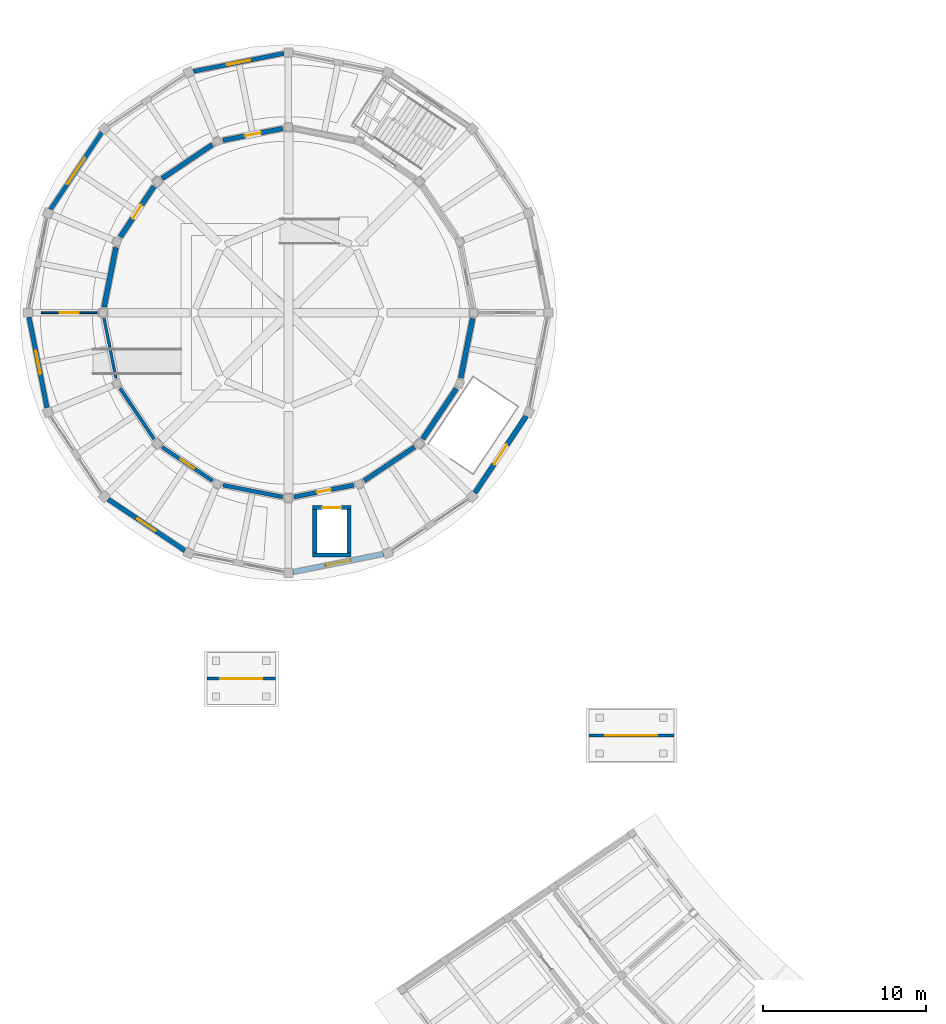
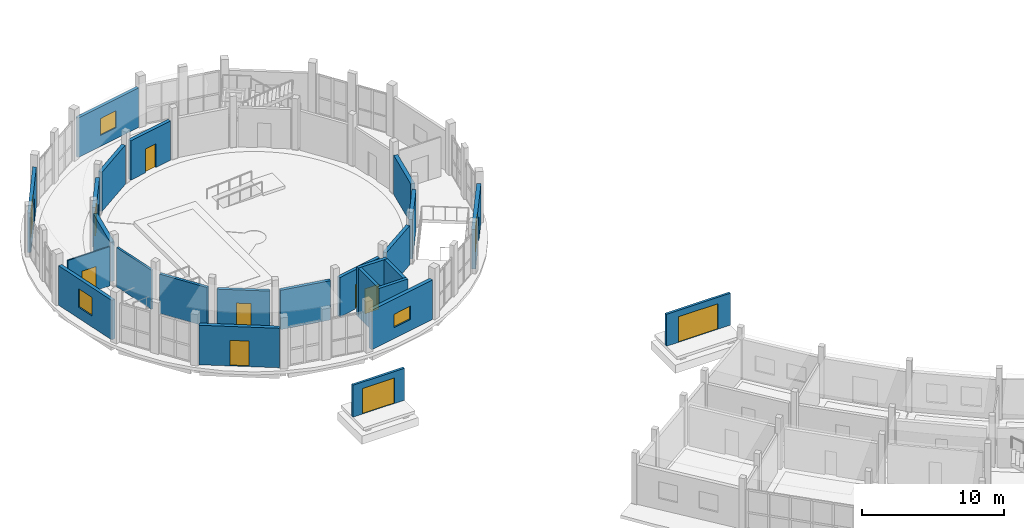
# One storey, part 71 of 92: 25 walls, 11 doors, 3 windows, 14 openings.
"""IFC4 building model written with IfcOpenShell, lengths in metres."""

from ifc_helpers import new_model, si_unit, direction, frame, frame_2d, origin, place, context, subcontext, project, spatial, rectangle, extrude, material, layer, layer_set, type_object, element, fill, save


model = new_model("IFC4")

# Units and contexts
model_context = context("Model", 3, precision=1e-05, world=origin(), true_north=direction((0.0, 1.0)))
body_context = subcontext(model_context, "Body", "Model", "MODEL_VIEW")
ifc_project = project(units=[si_unit("LENGTHUNIT", "METRE"), si_unit("AREAUNIT", "SQUARE_METRE"), si_unit("VOLUMEUNIT", "CUBIC_METRE"), si_unit("PLANEANGLEUNIT", "RADIAN"), si_unit("MASSUNIT", "GRAM", prefix="KILO")], contexts=[model_context])

# Site, building, storey
site_placement = place(None, origin())
site = spatial("IfcSite", under=ifc_project, at=site_placement, CompositionType="ELEMENT")
building_placement = place(site_placement, origin())
building = spatial("IfcBuilding", under=site, at=building_placement, Name="Caldaven Crescent School", CompositionType="ELEMENT")
storey_placement = place(building_placement, origin())
storey = spatial("IfcBuildingStorey", under=building, at=storey_placement, Name="L00", CompositionType="ELEMENT", Elevation=0.0)

# Wall, opening, door
ifc_material_1 = material(Name="Concrete C35/45", Category="concrete")
ifc_layer_1 = layer(ifc_material_1, 0.300048828125)
ifc_layer_set_1 = layer_set([ifc_layer_1], Name="Concrete C35/45")
wall_type_1 = type_object("IfcWallType", Name="WAL-CW1", PredefinedType="SHEAR", material=ifc_layer_set_1)
wall_1_placement = place(storey_placement, frame((24.997802734375, 86.51318359375, 0.0), z_axis=(0.0, 0.0, 1.0), x_axis=(1.0, 0.0, 0.0)))
wall_1 = element("IfcWall", 1, at=wall_1_placement, inside=storey, type_object=wall_type_1, Name="CW-LF2-L00-N", PredefinedType="SHEAR", context=body_context, shape_type="SweptSolid", body=[
    extrude(rectangle(XDim=2.349853515625, YDim=0.25, at=frame_2d((1.1748046875, 0.0))), origin(), (0.0, 0.0, 1.0), 4.199951171875),
])
opening_1_placement = place(wall_1_placement, frame((0.60009765625, 0.0, 0.0)))
opening_1 = element("IfcOpeningElement", 2, at=opening_1_placement, cuts=wall_1, Name="Opening LD-LF2-L00", PredefinedType="OPENING", context=body_context, shape_type="SweptSolid", body=[
    extrude(rectangle(XDim=1.14990234375, YDim=2.14990234375, at=frame_2d((0.574951171875, 1.074951171875))), frame((0.0, 0.135009765625, 0.0), z_axis=(0.0, -1.0, 0.0), x_axis=(1.0, 0.0, 0.0)), (0.0, 0.0, 1.0), 0.27001953125),
])
ifc_material_2 = material(Name="Brushed stainless-steel automatic telescopic landing door", Category="steel")
door_type_1 = type_object("IfcDoorType", Name="DOR-LD02", OperationType="DOUBLE_DOOR_SLIDING", PredefinedType="DOOR", material=ifc_material_2)
door_1_placement = place(opening_1_placement, origin())
door_1 = element("IfcDoor", 3, at=door_1_placement, inside=storey, type_object=door_type_1, Name="DOR-LD-LF2-L00", OperationType="DOUBLE_DOOR_SLIDING", OverallHeight=2.14990234375, OverallWidth=1.14990234375, PredefinedType="DOOR", context=body_context, shape_type="SweptSolid", body=[
    extrude(rectangle(XDim=1.14990234375, YDim=2.14990234375, at=frame_2d((0.574951171875, 1.074951171875))), frame((0.0, 0.02490234375, 0.0), z_axis=(0.0, -1.0, 0.0), x_axis=(1.0, 0.0, 0.0)), (0.0, 0.0, 1.0), 0.050048828125),
])
fill(opening_1, door_1)

# Walls
wall_2_placement = place(storey_placement, frame((24.997802734375, 83.61328125, 0.0), z_axis=(0.0, 0.0, 1.0), x_axis=(1.0, 0.0, 0.0)))
element("IfcWall", 4, at=wall_2_placement, inside=storey, type_object=wall_type_1, Name="CW-LF2-L00-S", PredefinedType="SHEAR", context=body_context, shape_type="SweptSolid", body=[
    extrude(rectangle(XDim=2.349853515625, YDim=0.25, at=frame_2d((1.1748046875, 0.0))), origin(), (0.0, 0.0, 1.0), 4.199951171875),
])
ifc_layer_2 = layer(ifc_material_1, 0.25)
ifc_layer_set_2 = layer_set([ifc_layer_2], Name="Concrete C35/45")
wall_type_2 = type_object("IfcWallType", Name="WAL-CW2", PredefinedType="SHEAR", material=ifc_layer_set_2)
for number, where, z_axis, x_axis, name in (
    (5, (25.122802734375, 83.73828125, 0.0), (0.0, 0.0, 1.0), (0.0, 1.0, 0.0), "CW-LF2-L00-W"),
    (6, (27.22265625, 83.73828125, 0.0), (0.0, 0.0, 1.0), (0.0, 1.0, 0.0), "CW-LF2-L00-E"),
):
    element("IfcWall", number, at=place(storey_placement, frame(where, z_axis=z_axis, x_axis=x_axis)), inside=storey, type_object=wall_type_2, Name=name, PredefinedType="SHEAR", context=body_context, shape_type="SweptSolid", body=[
        extrude(rectangle(XDim=2.64990234375, YDim=0.25, at=frame_2d((1.324951171875, 0.0))), origin(), (0.0, 0.0, 1.0), 4.199951171875),
    ])

# Wall, opening, door
ifc_material_3 = material(Name="Precast concrete C35/45", Category="concrete")
ifc_layer_3 = layer(ifc_material_3, 0.19189453125)
ifc_layer_set_3 = layer_set([ifc_layer_3], Name="Precast concrete C35/45")
wall_type_3 = type_object("IfcWallType", Name="WAL-EW01", PredefinedType="STANDARD", material=ifc_layer_set_3)
wall_3_placement = place(storey_placement, frame((42.0, 72.5, 0.0), z_axis=(0.0, 0.0, 1.0), x_axis=(1.0, 0.0, 0.0)))
wall_3 = element("IfcWall", 7, at=wall_3_placement, inside=storey, type_object=wall_type_3, Name="WAL-GATE-CG1", PredefinedType="STANDARD", context=body_context, shape_type="SweptSolid", body=[
    extrude(rectangle(XDim=5.199951171875, YDim=0.19189453125, at=frame_2d((2.60009765625, 0.0))), origin(), (0.0, 0.0, 1.0), 2.75),
])
opening_2_placement = place(wall_3_placement, frame((1.0, 0.0, 0.0)))
opening_2 = element("IfcOpeningElement", 8, at=opening_2_placement, cuts=wall_3, Name="Opening CG1", PredefinedType="OPENING", context=body_context, shape_type="SweptSolid", body=[
    extrude(rectangle(XDim=3.199951171875, YDim=2.199951171875, at=frame_2d((1.60009765625, 1.10009765625))), frame((0.0, 0.10595703125, 0.0), z_axis=(0.0, -1.0, 0.0), x_axis=(1.0, 0.0, 0.0)), (0.0, 0.0, 1.0), 0.2119140625),
])
ifc_material_4 = material(Name="Powder-coated galvanised tubular steel security gate", Category="steel")
door_type_2 = type_object("IfcDoorType", Name="DOR-GT02", OperationType="NOTDEFINED", PredefinedType="GATE", material=ifc_material_4)
door_2_placement = place(opening_2_placement, origin())
door_2 = element("IfcDoor", 9, at=door_2_placement, inside=storey, type_object=door_type_2, Name="GATE-CG1", OperationType="DOUBLE_DOOR_SINGLE_SWING", OverallHeight=2.199951171875, OverallWidth=3.199951171875, PredefinedType="GATE", context=body_context, shape_type="SweptSolid", body=[
    extrude(rectangle(XDim=3.199951171875, YDim=2.199951171875, at=frame_2d((1.60009765625, 1.10009765625))), frame((0.0, 0.02490234375, 0.0), z_axis=(0.0, -1.0, 0.0), x_axis=(1.0, 0.0, 0.0)), (0.0, 0.0, 1.0), 0.050048828125),
])
fill(opening_2, door_2)

wall_4_placement = place(storey_placement, frame((18.5, 76.0, 0.0), z_axis=(0.0, 0.0, 1.0), x_axis=(1.0, 0.0, 0.0)))
wall_4 = element("IfcWall", 10, at=wall_4_placement, inside=storey, type_object=wall_type_3, Name="WAL-GATE-CG5", PredefinedType="STANDARD", context=body_context, shape_type="SweptSolid", body=[
    extrude(rectangle(XDim=4.199951171875, YDim=0.19189453125, at=frame_2d((2.10009765625, 0.0))), origin(), (0.0, 0.0, 1.0), 2.75),
])
opening_3_placement = place(wall_4_placement, frame((0.800048828125, 0.0, 0.0)))
opening_3 = element("IfcOpeningElement", 11, at=opening_3_placement, cuts=wall_4, Name="Opening CG5", PredefinedType="OPENING", context=body_context, shape_type="SweptSolid", body=[
    extrude(rectangle(XDim=2.60009765625, YDim=2.199951171875, at=frame_2d((1.300048828125, 1.10009765625))), frame((0.0, 0.10595703125, 0.0), z_axis=(0.0, -1.0, 0.0), x_axis=(1.0, 0.0, 0.0)), (0.0, 0.0, 1.0), 0.2119140625),
])
door_type_3 = type_object("IfcDoorType", Name="DOR-GT03", OperationType="NOTDEFINED", PredefinedType="GATE", material=ifc_material_4)
door_3_placement = place(opening_3_placement, frame((2.60009765625, 0.0, 0.0), z_axis=(0.0, 0.0, 1.0), x_axis=(-1.0, 0.0, 0.0)))
door_3 = element("IfcDoor", 12, at=door_3_placement, inside=storey, type_object=door_type_3, Name="GATE-CG5", OperationType="DOUBLE_DOOR_SINGLE_SWING", OverallHeight=2.199951171875, OverallWidth=2.60009765625, PredefinedType="GATE", context=body_context, shape_type="SweptSolid", body=[
    extrude(rectangle(XDim=2.60009765625, YDim=2.199951171875, at=frame_2d((1.300048828125, 1.10009765625))), frame((0.0, 0.02490234375, 0.0), z_axis=(0.0, -1.0, 0.0), x_axis=(1.0, 0.0, 0.0)), (0.0, 0.0, 1.0), 0.050048828125),
])
fill(opening_3, door_3)

# Wall, opening, window
ifc_layer_4 = layer(ifc_material_3, 0.251953125)
ifc_layer_set_4 = layer_set([ifc_layer_4], Name="Precast concrete C35/45")
wall_type_4 = type_object("IfcWallType", Name="WAL-EW06", PredefinedType="STANDARD", material=ifc_layer_set_4)
wall_5_placement = place(storey_placement, frame((23.227294921875, 114.44580078125, 0.0), z_axis=(0.0, 0.0, 1.0), x_axis=(-0.980788171306, -0.195075787902, 0.0)))
wall_5 = element("IfcWall", 13, at=wall_5_placement, inside=storey, type_object=wall_type_4, Name="EW-L00-019", PredefinedType="STANDARD", context=body_context, shape_type="SweptSolid", body=[
    extrude(rectangle(XDim=5.68701171875, YDim=0.251953125, at=frame_2d((2.843505859375, 0.0))), origin(), (0.0, 0.0, 1.0), 3.39990234375),
])
opening_4_placement = place(wall_5_placement, frame((2.11328125, 0.0, 0.949951171875)))
opening_4 = element("IfcOpeningElement", 14, at=opening_4_placement, cuts=wall_5, Name="Opening W15", PredefinedType="OPENING", context=body_context, shape_type="SweptSolid", body=[
    extrude(rectangle(XDim=1.4599609375, YDim=1.449951171875, at=frame_2d((0.72998046875, 0.72509765625))), frame((0.0, 0.135986328125, 0.0), z_axis=(0.0, -1.0, 0.0), x_axis=(1.0, 0.0, 0.0)), (0.0, 0.0, 1.0), 0.27197265625),
])
ifc_material_5 = material(Name="Thermally broken anodised aluminium AA 6063-T6 and low-E double glazing", Category="aluminium")
window_type_1 = type_object("IfcWindowType", Name="WIN-W15", PartitioningType="SINGLE_PANEL", PredefinedType="WINDOW", material=ifc_material_5)
window_1_placement = place(opening_4_placement, origin())
window_1 = element("IfcWindow", 15, at=window_1_placement, inside=storey, type_object=window_type_1, Name="WIN-L00-014-1", OverallHeight=1.449951171875, OverallWidth=1.4599609375, PartitioningType="SINGLE_PANEL", PredefinedType="WINDOW", context=body_context, shape_type="SweptSolid", body=[
    extrude(rectangle(XDim=1.4599609375, YDim=1.449951171875, at=frame_2d((0.72998046875, 0.72509765625))), frame((0.0, 0.030029296875, 0.0), z_axis=(0.0, -1.0, 0.0), x_axis=(1.0, 0.0, 0.0)), (0.0, 0.0, 1.0), 0.06005859375),
])
fill(opening_4, window_1)

# Wall, opening, door
ifc_layer_5 = layer(ifc_material_3, 0.263916015625)
ifc_layer_set_5 = layer_set([ifc_layer_5], Name="Precast concrete C35/45")
wall_type_5 = type_object("IfcWallType", Name="WAL-EW07", PredefinedType="STANDARD", material=ifc_layer_set_5)
wall_6_placement = place(storey_placement, frame((12.03173828125, 109.58251953125, 0.0), z_axis=(0.0, 0.0, 1.0), x_axis=(-0.555561808177, -0.831475241541, 0.0)))
wall_6 = element("IfcWall", 16, at=wall_6_placement, inside=storey, type_object=wall_type_5, Name="EW-L00-020", PredefinedType="STANDARD", context=body_context, shape_type="SweptSolid", body=[
    extrude(rectangle(XDim=5.68701171875, YDim=0.263916015625, at=frame_2d((2.843505859375, 0.0))), origin(), (0.0, 0.0, 1.0), 3.39990234375),
])
opening_5_placement = place(wall_6_placement, frame((1.868408203125, 0.0, 0.0)))
opening_5 = element("IfcOpeningElement", 17, at=opening_5_placement, cuts=wall_6, Name="Opening D-L00-E006", PredefinedType="OPENING", context=body_context, shape_type="SweptSolid", body=[
    extrude(rectangle(XDim=1.949951171875, YDim=2.280029296875, at=frame_2d((0.97509765625, 1.14013671875))), frame((0.0, 0.141845703125, 0.0), z_axis=(0.0, -1.0, 0.0), x_axis=(1.0, 0.0, 0.0)), (0.0, 0.0, 1.0), 0.283935546875),
])
ifc_material_6 = material(Name="Thermally broken bronze-anodised aluminium and laminated safety glass", Category="aluminium")
door_type_4 = type_object("IfcDoorType", Name="DOR-EX12", OperationType="NOTDEFINED", PredefinedType="DOOR", material=ifc_material_6)
door_4_placement = place(opening_5_placement, frame((1.949951171875, 0.0, 0.0), z_axis=(0.0, 0.0, 1.0), x_axis=(-1.0, 0.0, 0.0)))
door_4 = element("IfcDoor", 18, at=door_4_placement, inside=storey, type_object=door_type_4, Name="DOR-EXT-L00-006", OperationType="DOUBLE_DOOR_SINGLE_SWING", OverallHeight=2.280029296875, OverallWidth=1.949951171875, PredefinedType="DOOR", context=body_context, shape_type="SweptSolid", body=[
    extrude(rectangle(XDim=1.949951171875, YDim=2.280029296875, at=frame_2d((0.97509765625, 1.14013671875))), frame((0.0, 0.02490234375, 0.0), z_axis=(0.0, -1.0, 0.0), x_axis=(1.0, 0.0, 0.0)), (0.0, 0.0, 1.0), 0.050048828125),
])
fill(opening_5, door_4)

# Wall, opening, window
ifc_layer_6 = layer(ifc_material_3, 0.27587890625)
ifc_layer_set_6 = layer_set([ifc_layer_6], Name="Precast concrete C35/45")
wall_type_6 = type_object("IfcWallType", Name="WAL-EW08", PredefinedType="STANDARD", material=ifc_layer_set_6)
wall_7_placement = place(storey_placement, frame((7.55419921875, 98.227294921875, 0.0), z_axis=(0.0, 0.0, 1.0), x_axis=(0.195075787902, -0.980788171306, 0.0)))
wall_7 = element("IfcWall", 19, at=wall_7_placement, inside=storey, type_object=wall_type_6, Name="EW-L00-021", PredefinedType="STANDARD", context=body_context, shape_type="SweptSolid", body=[
    extrude(rectangle(XDim=5.68701171875, YDim=0.27587890625, at=frame_2d((2.843505859375, 0.0))), origin(), (0.0, 0.0, 1.0), 3.39990234375),
])
opening_6_placement = place(wall_7_placement, frame((2.11328125, 0.0, 0.949951171875)))
opening_6 = element("IfcOpeningElement", 20, at=opening_6_placement, cuts=wall_7, Name="Opening W16", PredefinedType="OPENING", context=body_context, shape_type="SweptSolid", body=[
    extrude(rectangle(XDim=1.4599609375, YDim=1.60009765625, at=frame_2d((0.72998046875, 0.800048828125))), frame((0.0, 0.14794921875, 0.0), z_axis=(0.0, -1.0, 0.0), x_axis=(1.0, 0.0, 0.0)), (0.0, 0.0, 1.0), 0.2958984375),
])
window_type_2 = type_object("IfcWindowType", Name="WIN-W16", PartitioningType="SINGLE_PANEL", PredefinedType="WINDOW", material=ifc_material_5)
window_2_placement = place(opening_6_placement, origin())
window_2 = element("IfcWindow", 21, at=window_2_placement, inside=storey, type_object=window_type_2, Name="WIN-L00-015-1", OverallHeight=1.60009765625, OverallWidth=1.4599609375, PartitioningType="SINGLE_PANEL", PredefinedType="WINDOW", context=body_context, shape_type="SweptSolid", body=[
    extrude(rectangle(XDim=1.4599609375, YDim=1.60009765625, at=frame_2d((0.72998046875, 0.800048828125))), frame((0.0, 0.030029296875, 0.0), z_axis=(0.0, -1.0, 0.0), x_axis=(1.0, 0.0, 0.0)), (0.0, 0.0, 1.0), 0.06005859375),
])
fill(opening_6, window_2)

# Wall, opening, door
ifc_layer_7 = layer(ifc_material_3, 0.2880859375)
ifc_layer_set_7 = layer_set([ifc_layer_7], Name="Precast concrete C35/45")
wall_type_7 = type_object("IfcWallType", Name="WAL-EW09", PredefinedType="STANDARD", material=ifc_layer_set_7)
wall_8_placement = place(storey_placement, frame((12.41748046875, 87.03173828125, 0.0), z_axis=(0.0, 0.0, 1.0), x_axis=(0.831475241541, -0.555561808177, 0.0)))
wall_8 = element("IfcWall", 22, at=wall_8_placement, inside=storey, type_object=wall_type_7, Name="EW-L00-022", PredefinedType="STANDARD", context=body_context, shape_type="SweptSolid", body=[
    extrude(rectangle(XDim=5.68701171875, YDim=0.2880859375, at=frame_2d((2.843505859375, 0.0))), origin(), (0.0, 0.0, 1.0), 3.39990234375),
])
opening_7_placement = place(wall_8_placement, frame((2.16845703125, 0.0, 0.0)))
opening_7 = element("IfcOpeningElement", 23, at=opening_7_placement, cuts=wall_8, Name="Opening D-L00-E007", PredefinedType="OPENING", context=body_context, shape_type="SweptSolid", body=[
    extrude(rectangle(XDim=1.35009765625, YDim=2.199951171875, at=frame_2d((0.675048828125, 1.10009765625))), frame((0.0, 0.154052734375, 0.0), z_axis=(0.0, -1.0, 0.0), x_axis=(1.0, 0.0, 0.0)), (0.0, 0.0, 1.0), 0.30810546875),
])
door_type_5 = type_object("IfcDoorType", Name="DOR-EX06", OperationType="NOTDEFINED", PredefinedType="DOOR", material=ifc_material_6)
door_5_placement = place(opening_7_placement, frame((1.35009765625, 0.0, 0.0), z_axis=(0.0, 0.0, 1.0), x_axis=(-1.0, 0.0, 0.0)))
door_5 = element("IfcDoor", 24, at=door_5_placement, inside=storey, type_object=door_type_5, Name="DOR-EXT-L00-007", OperationType="DOUBLE_DOOR_SINGLE_SWING", OverallHeight=2.199951171875, OverallWidth=1.35009765625, PredefinedType="DOOR", context=body_context, shape_type="SweptSolid", body=[
    extrude(rectangle(XDim=1.35009765625, YDim=2.199951171875, at=frame_2d((0.675048828125, 1.10009765625))), frame((0.0, 0.02490234375, 0.0), z_axis=(0.0, -1.0, 0.0), x_axis=(1.0, 0.0, 0.0)), (0.0, 0.0, 1.0), 0.050048828125),
])
fill(opening_7, door_5)

# Wall, opening, window
ifc_layer_8 = layer(ifc_material_3, 0.300048828125)
ifc_layer_set_8 = layer_set([ifc_layer_8], Name="Precast concrete C35/45")
wall_type_8 = type_object("IfcWallType", Name="WAL-EW10", PredefinedType="STANDARD", material=ifc_layer_set_8)
wall_9_placement = place(storey_placement, frame((23.772705078125, 82.55419921875, 0.0), z_axis=(0.0, 0.0, 1.0), x_axis=(0.980788171306, 0.195075787902, 0.0)))
wall_9 = element("IfcWall", 25, at=wall_9_placement, inside=storey, type_object=wall_type_8, Name="EW-L00-023", PredefinedType="STANDARD", context=body_context, shape_type="SweptSolid", body=[
    extrude(rectangle(XDim=5.68701171875, YDim=0.300048828125, at=frame_2d((2.843505859375, 0.0))), origin(), (0.0, 0.0, 1.0), 3.39990234375),
])
opening_8_placement = place(wall_9_placement, frame((2.053466796875, 0.0, 0.949951171875)))
opening_8 = element("IfcOpeningElement", 26, at=opening_8_placement, cuts=wall_9, Name="Opening W17", PredefinedType="OPENING", context=body_context, shape_type="SweptSolid", body=[
    extrude(rectangle(XDim=1.580078125, YDim=1.14990234375, at=frame_2d((0.7900390625, 0.574951171875))), frame((0.0, 0.159912109375, 0.0), z_axis=(0.0, -1.0, 0.0), x_axis=(1.0, 0.0, 0.0)), (0.0, 0.0, 1.0), 0.320068359375),
])
window_type_3 = type_object("IfcWindowType", Name="WIN-W17", PartitioningType="SINGLE_PANEL", PredefinedType="WINDOW", material=ifc_material_5)
window_3_placement = place(opening_8_placement, origin())
window_3 = element("IfcWindow", 27, at=window_3_placement, inside=storey, type_object=window_type_3, Name="WIN-L00-016-1", OverallHeight=1.14990234375, OverallWidth=1.580078125, PartitioningType="SINGLE_PANEL", PredefinedType="WINDOW", context=body_context, shape_type="SweptSolid", body=[
    extrude(rectangle(XDim=1.580078125, YDim=1.14990234375, at=frame_2d((0.7900390625, 0.574951171875))), frame((0.0, 0.030029296875, 0.0), z_axis=(0.0, -1.0, 0.0), x_axis=(1.0, 0.0, 0.0)), (0.0, 0.0, 1.0), 0.06005859375),
])
fill(opening_8, window_3)

# Wall, opening, door
ifc_layer_9 = layer(ifc_material_3, 0.31201171875)
ifc_layer_set_9 = layer_set([ifc_layer_9], Name="Precast concrete C35/45")
wall_type_9 = type_object("IfcWallType", Name="WAL-EW11", PredefinedType="STANDARD", material=ifc_layer_set_9)
wall_10_placement = place(storey_placement, frame((34.96826171875, 87.41748046875, 0.0), z_axis=(0.0, 0.0, 1.0), x_axis=(0.555561808177, 0.831475241541, 0.0)))
wall_10 = element("IfcWall", 28, at=wall_10_placement, inside=storey, type_object=wall_type_9, Name="EW-L00-024", PredefinedType="STANDARD", context=body_context, shape_type="SweptSolid", body=[
    extrude(rectangle(XDim=5.68701171875, YDim=0.31201171875, at=frame_2d((2.843505859375, 0.0))), origin(), (0.0, 0.0, 1.0), 3.39990234375),
])
opening_9_placement = place(wall_10_placement, frame((2.118408203125, 0.0, 0.0)))
opening_9 = element("IfcOpeningElement", 29, at=opening_9_placement, cuts=wall_10, Name="Opening D-L00-E008", PredefinedType="OPENING", context=body_context, shape_type="SweptSolid", body=[
    extrude(rectangle(XDim=1.449951171875, YDim=2.219970703125, at=frame_2d((0.72509765625, 1.10986328125))), frame((0.0, 0.166015625, 0.0), z_axis=(0.0, -1.0, 0.0), x_axis=(1.0, 0.0, 0.0)), (0.0, 0.0, 1.0), 0.33203125),
])
door_type_6 = type_object("IfcDoorType", Name="DOR-EX07", OperationType="NOTDEFINED", PredefinedType="DOOR", material=ifc_material_6)
door_6_placement = place(opening_9_placement, frame((1.449951171875, 0.0, 0.0), z_axis=(0.0, 0.0, 1.0), x_axis=(-1.0, 0.0, 0.0)))
door_6 = element("IfcDoor", 30, at=door_6_placement, inside=storey, type_object=door_type_6, Name="DOR-EXT-L00-008", OperationType="DOUBLE_DOOR_SINGLE_SWING", OverallHeight=2.219970703125, OverallWidth=1.449951171875, PredefinedType="DOOR", context=body_context, shape_type="SweptSolid", body=[
    extrude(rectangle(XDim=1.449951171875, YDim=2.219970703125, at=frame_2d((0.72509765625, 1.10986328125))), frame((0.0, 0.02490234375, 0.0), z_axis=(0.0, -1.0, 0.0), x_axis=(1.0, 0.0, 0.0)), (0.0, 0.0, 1.0), 0.050048828125),
])
fill(opening_9, door_6)

# Walls
ifc_material_7 = material(Name="Acoustic timber-stud and fire-rated gypsum board assembly", Category="wood")
ifc_layer_10 = layer(ifc_material_7, 0.169921875)
ifc_layer_set_10 = layer_set([ifc_layer_10], Name="Acoustic timber-stud and fire-rated gypsum board assembly")
wall_type_10 = type_object("IfcWallType", Name="WAL-IW02", PredefinedType="STANDARD", material=ifc_layer_set_10)
wall_11_placement = place(storey_placement, frame((12.170166015625, 98.14697265625, 0.0), z_axis=(0.0, 0.0, 1.0), x_axis=(0.195083359546, -0.980786665299, 0.0)))
element("IfcWall", 31, at=wall_11_placement, inside=storey, type_object=wall_type_10, Name="IW-L00-0049", PredefinedType="STANDARD", context=body_context, shape_type="SweptSolid", body=[
    extrude(rectangle(XDim=3.72802734375, YDim=0.169921875, at=frame_2d((1.864013671875, 0.0))), origin(), (0.0, 0.0, 1.0), 3.3798828125),
])
ifc_layer_11 = layer(ifc_material_7, 0.2099609375)
ifc_layer_set_11 = layer_set([ifc_layer_11], Name="Acoustic timber-stud and fire-rated gypsum board assembly")
wall_type_11 = type_object("IfcWallType", Name="WAL-IW06", PredefinedType="STANDARD", material=ifc_layer_set_11)
wall_12_placement = place(storey_placement, frame((13.167724609375, 93.838134765625, 0.0), z_axis=(0.0, 0.0, 1.0), x_axis=(0.555576382584, -0.831465503262, 0.0)))
element("IfcWall", 32, at=wall_12_placement, inside=storey, type_object=wall_type_11, Name="IW-L00-0053", PredefinedType="STANDARD", context=body_context, shape_type="SweptSolid", body=[
    extrude(rectangle(XDim=3.728271484375, YDim=0.2099609375, at=frame_2d((1.8642578125, 0.0))), origin(), (0.0, 0.0, 1.0), 3.3798828125),
])

# Wall, opening, door
ifc_layer_12 = layer(ifc_material_7, 0.22998046875)
ifc_layer_set_12 = layer_set([ifc_layer_12], Name="Acoustic timber-stud and fire-rated gypsum board assembly")
wall_type_12 = type_object("IfcWallType", Name="WAL-IW08", PredefinedType="STANDARD", material=ifc_layer_set_12)
wall_13_placement = place(storey_placement, frame((15.73828125, 90.239013671875, 0.0), z_axis=(0.0, 0.0, 1.0), x_axis=(0.831465503262, -0.555576382584, 0.0)))
wall_13 = element("IfcWall", 33, at=wall_13_placement, inside=storey, type_object=wall_type_12, Name="IW-L00-0055", PredefinedType="STANDARD", context=body_context, shape_type="SweptSolid", body=[
    extrude(rectangle(XDim=3.728271484375, YDim=0.22998046875, at=frame_2d((1.8642578125, 0.0))), origin(), (0.0, 0.0, 1.0), 3.3798828125),
])
opening_10_placement = place(wall_13_placement, frame((1.35400390625, 0.0, 0.0)))
opening_10 = element("IfcOpeningElement", 34, at=opening_10_placement, cuts=wall_13, Name="Opening D-L00-I039", PredefinedType="OPENING", context=body_context, shape_type="SweptSolid", body=[
    extrude(rectangle(XDim=1.02001953125, YDim=2.239990234375, at=frame_2d((0.510009765625, 1.1201171875))), frame((0.0, 0.125, 0.0), z_axis=(0.0, -1.0, 0.0), x_axis=(1.0, 0.0, 0.0)), (0.0, 0.0, 1.0), 0.25),
])
ifc_material_8 = material(Name="Solid-core Pino Radiata acoustic timber leaf in steel frame", Category="steel")
door_type_7 = type_object("IfcDoorType", Name="DOR-ID20", OperationType="NOTDEFINED", PredefinedType="DOOR", material=ifc_material_8)
door_7_placement = place(opening_10_placement, frame((1.02001953125, 0.0, 0.0), z_axis=(0.0, 0.0, 1.0), x_axis=(-1.0, 0.0, 0.0)))
door_7 = element("IfcDoor", 35, at=door_7_placement, inside=storey, type_object=door_type_7, Name="DOR-INT-L00-0039", OperationType="SINGLE_SWING_RIGHT", OverallHeight=2.239990234375, OverallWidth=1.02001953125, PredefinedType="DOOR", context=body_context, shape_type="SweptSolid", body=[
    extrude(rectangle(XDim=1.02001953125, YDim=2.239990234375, at=frame_2d((0.510009765625, 1.1201171875))), frame((0.0, 0.02490234375, 0.0), z_axis=(0.0, -1.0, 0.0), x_axis=(1.0, 0.0, 0.0)), (0.0, 0.0, 1.0), 0.050048828125),
])
fill(opening_10, door_7)

# Wall
ifc_layer_13 = layer(ifc_material_7, 0.239990234375)
ifc_layer_set_13 = layer_set([ifc_layer_13], Name="Acoustic timber-stud and fire-rated gypsum board assembly")
wall_type_13 = type_object("IfcWallType", Name="WAL-IW09", PredefinedType="STANDARD", material=ifc_layer_set_13)
wall_14_placement = place(storey_placement, frame((19.490478515625, 87.8974609375, 0.0), z_axis=(0.0, 0.0, 1.0), x_axis=(0.980786665299, -0.195083359546, 0.0)))
element("IfcWall", 36, at=wall_14_placement, inside=storey, type_object=wall_type_13, Name="IW-L00-0056", PredefinedType="STANDARD", context=body_context, shape_type="SweptSolid", body=[
    extrude(rectangle(XDim=3.72802734375, YDim=0.239990234375, at=frame_2d((1.864013671875, 0.0))), origin(), (0.0, 0.0, 1.0), 3.3798828125),
])

# Wall, opening, door
ifc_layer_14 = layer(ifc_material_7, 0.260009765625)
ifc_layer_set_14 = layer_set([ifc_layer_14], Name="Acoustic timber-stud and fire-rated gypsum board assembly")
wall_type_14 = type_object("IfcWallType", Name="WAL-IW11", PredefinedType="STANDARD", material=ifc_layer_set_14)
wall_15_placement = place(storey_placement, frame((23.85302734375, 87.170166015625, 0.0), z_axis=(0.0, 0.0, 1.0), x_axis=(0.980786665299, 0.195083359546, 0.0)))
wall_15 = element("IfcWall", 37, at=wall_15_placement, inside=storey, type_object=wall_type_14, Name="IW-L00-0058", PredefinedType="STANDARD", context=body_context, shape_type="SweptSolid", body=[
    extrude(rectangle(XDim=3.72802734375, YDim=0.260009765625, at=frame_2d((1.864013671875, 0.0))), origin(), (0.0, 0.0, 1.0), 3.3798828125),
])
opening_11_placement = place(wall_15_placement, frame((1.43408203125, 0.0, 0.0)))
opening_11 = element("IfcOpeningElement", 38, at=opening_11_placement, cuts=wall_15, Name="Opening D-L00-I041", PredefinedType="OPENING", context=body_context, shape_type="SweptSolid", body=[
    extrude(rectangle(XDim=0.860107421875, YDim=2.1201171875, at=frame_2d((0.43017578125, 1.06005859375))), frame((0.0, 0.139892578125, 0.0), z_axis=(0.0, -1.0, 0.0), x_axis=(1.0, 0.0, 0.0)), (0.0, 0.0, 1.0), 0.280029296875),
])
door_type_8 = type_object("IfcDoorType", Name="DOR-ID02", OperationType="NOTDEFINED", PredefinedType="DOOR", material=ifc_material_8)
door_8_placement = place(opening_11_placement, frame((0.860107421875, 0.0, 0.0), z_axis=(0.0, 0.0, 1.0), x_axis=(-1.0, 0.0, 0.0)))
door_8 = element("IfcDoor", 39, at=door_8_placement, inside=storey, type_object=door_type_8, Name="DOR-INT-L00-0041", OperationType="SINGLE_SWING_RIGHT", OverallHeight=2.1201171875, OverallWidth=0.860107421875, PredefinedType="DOOR", context=body_context, shape_type="SweptSolid", body=[
    extrude(rectangle(XDim=0.860107421875, YDim=2.1201171875, at=frame_2d((0.43017578125, 1.06005859375))), frame((0.0, 0.02490234375, 0.0), z_axis=(0.0, -1.0, 0.0), x_axis=(1.0, 0.0, 0.0)), (0.0, 0.0, 1.0), 0.050048828125),
])
fill(opening_11, door_8)

ifc_material_9 = material(Name="Autoclaved aerated concrete block masonry G5", Category="masonry")
ifc_layer_15 = layer(ifc_material_9, 0.280029296875)
ifc_layer_set_15 = layer_set([ifc_layer_15], Name="Autoclaved aerated concrete block masonry G5")
wall_type_15 = type_object("IfcWallType", Name="WAL-IW13", PredefinedType="STANDARD", material=ifc_layer_set_15)
wall_16_placement = place(storey_placement, frame((23.14697265625, 109.829833984375, 0.0), z_axis=(0.0, 0.0, 1.0), x_axis=(-0.980786665299, -0.195083359546, 0.0)))
wall_16 = element("IfcWall", 40, at=wall_16_placement, inside=storey, type_object=wall_type_15, Name="IW-L00-0044", PredefinedType="STANDARD", context=body_context, shape_type="SweptSolid", body=[
    extrude(rectangle(XDim=3.72802734375, YDim=0.280029296875, at=frame_2d((1.864013671875, 0.0))), origin(), (0.0, 0.0, 1.0), 3.3798828125),
])
opening_12_placement = place(wall_16_placement, frame((1.3740234375, 0.0, 0.0)))
opening_12 = element("IfcOpeningElement", 41, at=opening_12_placement, cuts=wall_16, Name="Opening D-L00-I032", PredefinedType="OPENING", context=body_context, shape_type="SweptSolid", body=[
    extrude(rectangle(XDim=0.97998046875, YDim=2.06005859375, at=frame_2d((0.489990234375, 1.030029296875))), frame((0.0, 0.14990234375, 0.0), z_axis=(0.0, -1.0, 0.0), x_axis=(1.0, 0.0, 0.0)), (0.0, 0.0, 1.0), 0.300048828125),
])
door_type_9 = type_object("IfcDoorType", Name="DOR-ID13", OperationType="NOTDEFINED", PredefinedType="DOOR", material=ifc_material_8)
door_9_placement = place(opening_12_placement, frame((0.97998046875, 0.0, 0.0), z_axis=(0.0, 0.0, 1.0), x_axis=(-1.0, 0.0, 0.0)))
door_9 = element("IfcDoor", 42, at=door_9_placement, inside=storey, type_object=door_type_9, Name="DOR-INT-L00-0032", OperationType="SINGLE_SWING_LEFT", OverallHeight=2.06005859375, OverallWidth=0.97998046875, PredefinedType="DOOR", context=body_context, shape_type="SweptSolid", body=[
    extrude(rectangle(XDim=0.97998046875, YDim=2.06005859375, at=frame_2d((0.489990234375, 1.030029296875))), frame((0.0, 0.02490234375, 0.0), z_axis=(0.0, -1.0, 0.0), x_axis=(1.0, 0.0, 0.0)), (0.0, 0.0, 1.0), 0.050048828125),
])
fill(opening_12, door_9)

# Walls
wall_17_placement = place(storey_placement, frame((28.161865234375, 88.167724609375, 0.0), z_axis=(0.0, 0.0, 1.0), x_axis=(0.831465503262, 0.555576382584, 0.0)))
element("IfcWall", 43, at=wall_17_placement, inside=storey, type_object=wall_type_15, Name="IW-L00-0060", PredefinedType="STANDARD", context=body_context, shape_type="SweptSolid", body=[
    extrude(rectangle(XDim=3.728271484375, YDim=0.280029296875, at=frame_2d((1.8642578125, 0.0))), origin(), (0.0, 0.0, 1.0), 3.3798828125),
])
ifc_layer_16 = layer(ifc_material_9, 0.2900390625)
ifc_layer_set_16 = layer_set([ifc_layer_16], Name="Autoclaved aerated concrete block masonry G5")
wall_type_16 = type_object("IfcWallType", Name="WAL-IW14", PredefinedType="STANDARD", material=ifc_layer_set_16)
wall_18_placement = place(storey_placement, frame((18.838134765625, 108.832275390625, 0.0), z_axis=(0.0, 0.0, 1.0), x_axis=(-0.831465503262, -0.555576382584, 0.0)))
element("IfcWall", 44, at=wall_18_placement, inside=storey, type_object=wall_type_16, Name="IW-L00-0045", PredefinedType="STANDARD", context=body_context, shape_type="SweptSolid", body=[
    extrude(rectangle(XDim=3.728271484375, YDim=0.2900390625, at=frame_2d((1.8642578125, 0.0))), origin(), (0.0, 0.0, 1.0), 3.3798828125),
])

# Wall, opening, door
ifc_layer_17 = layer(ifc_material_9, 0.300048828125)
ifc_layer_set_17 = layer_set([ifc_layer_17], Name="Autoclaved aerated concrete block masonry G5")
wall_type_17 = type_object("IfcWallType", Name="WAL-IW15", PredefinedType="STANDARD", material=ifc_layer_set_17)
wall_19_placement = place(storey_placement, frame((15.239013671875, 106.26171875, 0.0), z_axis=(0.0, 0.0, 1.0), x_axis=(-0.555576382584, -0.831465503262, 0.0)))
wall_19 = element("IfcWall", 45, at=wall_19_placement, inside=storey, type_object=wall_type_17, Name="IW-L00-0046", PredefinedType="STANDARD", context=body_context, shape_type="SweptSolid", body=[
    extrude(rectangle(XDim=3.728271484375, YDim=0.300048828125, at=frame_2d((1.8642578125, 0.0))), origin(), (0.0, 0.0, 1.0), 3.3798828125),
])
opening_13_placement = place(wall_19_placement, frame((1.3740234375, 0.0, 0.0)))
opening_13 = element("IfcOpeningElement", 46, at=opening_13_placement, cuts=wall_19, Name="Opening D-L00-I033", PredefinedType="OPENING", context=body_context, shape_type="SweptSolid", body=[
    extrude(rectangle(XDim=0.97998046875, YDim=2.1201171875, at=frame_2d((0.489990234375, 1.06005859375))), frame((0.0, 0.159912109375, 0.0), z_axis=(0.0, -1.0, 0.0), x_axis=(1.0, 0.0, 0.0)), (0.0, 0.0, 1.0), 0.320068359375),
])
door_type_10 = type_object("IfcDoorType", Name="DOR-ID14", OperationType="NOTDEFINED", PredefinedType="DOOR", material=ifc_material_8)
door_10_placement = place(opening_13_placement, frame((0.97998046875, 0.0, 0.0), z_axis=(0.0, 0.0, 1.0), x_axis=(-1.0, 0.0, 0.0)))
door_10 = element("IfcDoor", 47, at=door_10_placement, inside=storey, type_object=door_type_10, Name="DOR-INT-L00-0033", OperationType="SINGLE_SWING_RIGHT", OverallHeight=2.1201171875, OverallWidth=0.97998046875, PredefinedType="DOOR", context=body_context, shape_type="SweptSolid", body=[
    extrude(rectangle(XDim=0.97998046875, YDim=2.1201171875, at=frame_2d((0.489990234375, 1.06005859375))), frame((0.0, 0.02490234375, 0.0), z_axis=(0.0, -1.0, 0.0), x_axis=(1.0, 0.0, 0.0)), (0.0, 0.0, 1.0), 0.050048828125),
])
fill(opening_13, door_10)

# Walls
wall_20_placement = place(storey_placement, frame((31.760986328125, 90.73828125, 0.0), z_axis=(0.0, 0.0, 1.0), x_axis=(0.555576382584, 0.831465503262, 0.0)))
element("IfcWall", 48, at=wall_20_placement, inside=storey, type_object=wall_type_17, Name="IW-L00-0062", PredefinedType="STANDARD", context=body_context, shape_type="SweptSolid", body=[
    extrude(rectangle(XDim=3.728271484375, YDim=0.300048828125, at=frame_2d((1.8642578125, 0.0))), origin(), (0.0, 0.0, 1.0), 3.3798828125),
])
ifc_layer_18 = layer(ifc_material_9, 0.31005859375)
ifc_layer_set_18 = layer_set([ifc_layer_18], Name="Autoclaved aerated concrete block masonry G5")
wall_type_18 = type_object("IfcWallType", Name="WAL-IW16", PredefinedType="STANDARD", material=ifc_layer_set_18)
for number, where, z_axis, x_axis, name in (
    (49, (12.8974609375, 102.509521484375, 0.0), (0.0, 0.0, 1.0), (-0.195083359546, -0.980786665299, 0.0), "IW-L00-0047"),
    (50, (34.1025390625, 94.490478515625, 0.0), (0.0, 0.0, 1.0), (0.195083359546, 0.980786665299, 0.0), "IW-L00-0063"),
):
    element("IfcWall", number, at=place(storey_placement, frame(where, z_axis=z_axis, x_axis=x_axis)), inside=storey, type_object=wall_type_18, Name=name, PredefinedType="STANDARD", context=body_context, shape_type="SweptSolid", body=[
        extrude(rectangle(XDim=3.72802734375, YDim=0.31005859375, at=frame_2d((1.864013671875, 0.0))), origin(), (0.0, 0.0, 1.0), 3.3798828125),
    ])

# Wall, opening, door
ifc_material_10 = material(Name="Acoustic double-layer gypsum partition on galvanised steel studs", Category="steel")
ifc_layer_19 = layer(ifc_material_10, 0.10400390625)
ifc_layer_set_19 = layer_set([ifc_layer_19], Name="Acoustic double-layer gypsum partition on galvanised steel studs")
wall_type_19 = type_object("IfcWallType", Name="WAL-PT04", PredefinedType="PARTITIONING", material=ifc_layer_set_19)
wall_21_placement = place(storey_placement, frame((11.739990234375, 98.5, 0.0), z_axis=(0.0, 0.0, 1.0), x_axis=(-1.0, 0.0, 0.0)))
wall_21 = element("IfcWall", 51, at=wall_21_placement, inside=storey, type_object=wall_type_19, Name="IW-L00-0051", PredefinedType="PARTITIONING", context=body_context, shape_type="SweptSolid", body=[
    extrude(rectangle(XDim=3.429931640625, YDim=0.10400390625, at=frame_2d((1.71484375, 0.0))), origin(), (0.0, 0.0, 1.0), 3.3798828125),
])
opening_14_placement = place(wall_21_placement, frame((1.139892578125, 0.0, 0.0)))
opening_14 = element("IfcOpeningElement", 52, at=opening_14_placement, cuts=wall_21, Name="Opening D-L00-I036", PredefinedType="OPENING", context=body_context, shape_type="SweptSolid", body=[
    extrude(rectangle(XDim=1.14990234375, YDim=2.06005859375, at=frame_2d((0.574951171875, 1.030029296875))), frame((0.0, 0.06201171875, 0.0), z_axis=(0.0, -1.0, 0.0), x_axis=(1.0, 0.0, 0.0)), (0.0, 0.0, 1.0), 0.1240234375),
])
door_type_11 = type_object("IfcDoorType", Name="DOR-ID29", OperationType="NOTDEFINED", PredefinedType="DOOR", material=ifc_material_8)
door_11_placement = place(opening_14_placement, origin())
door_11 = element("IfcDoor", 53, at=door_11_placement, inside=storey, type_object=door_type_11, Name="DOR-INT-L00-0036", OperationType="SINGLE_SWING_LEFT", OverallHeight=2.06005859375, OverallWidth=1.14990234375, PredefinedType="DOOR", context=body_context, shape_type="SweptSolid", body=[
    extrude(rectangle(XDim=1.14990234375, YDim=2.06005859375, at=frame_2d((0.574951171875, 1.030029296875))), frame((0.0, 0.02490234375, 0.0), z_axis=(0.0, -1.0, 0.0), x_axis=(1.0, 0.0, 0.0)), (0.0, 0.0, 1.0), 0.050048828125),
])
fill(opening_14, door_11)

save(model, "model.ifc")
